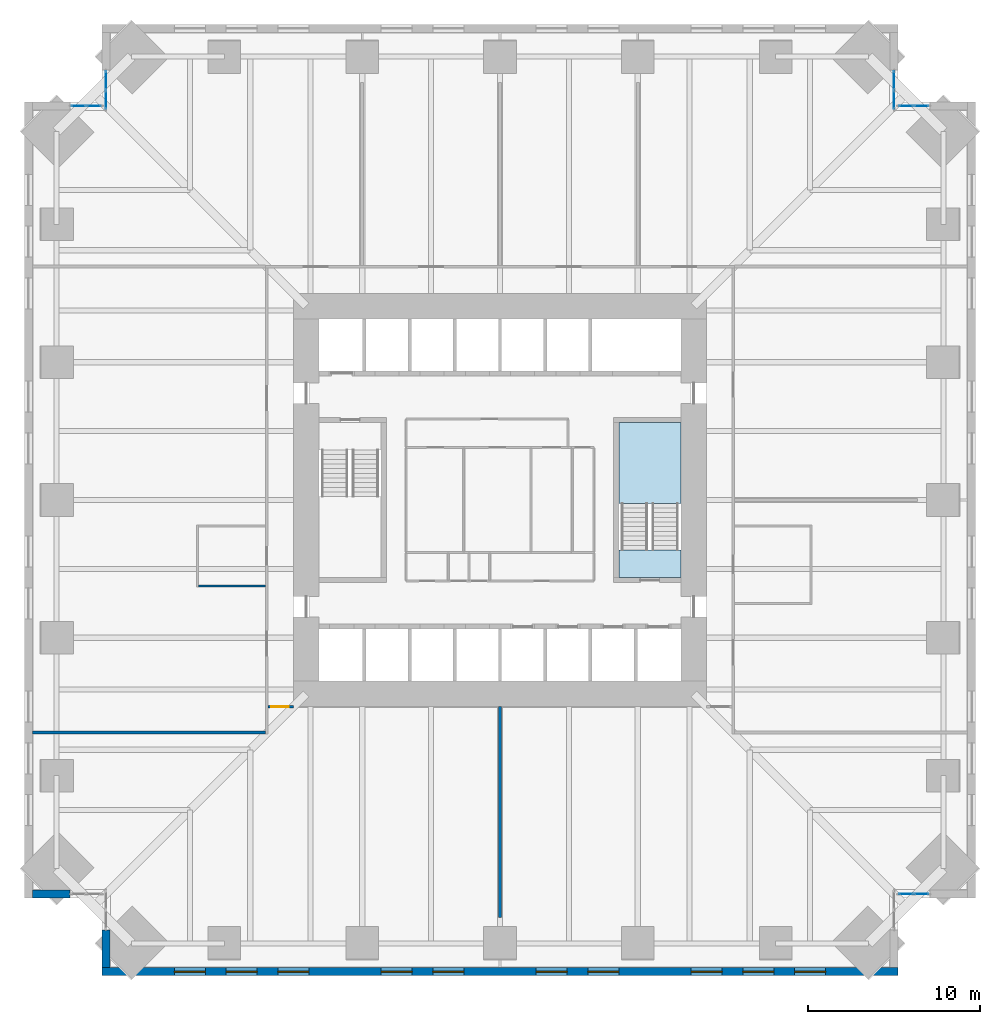
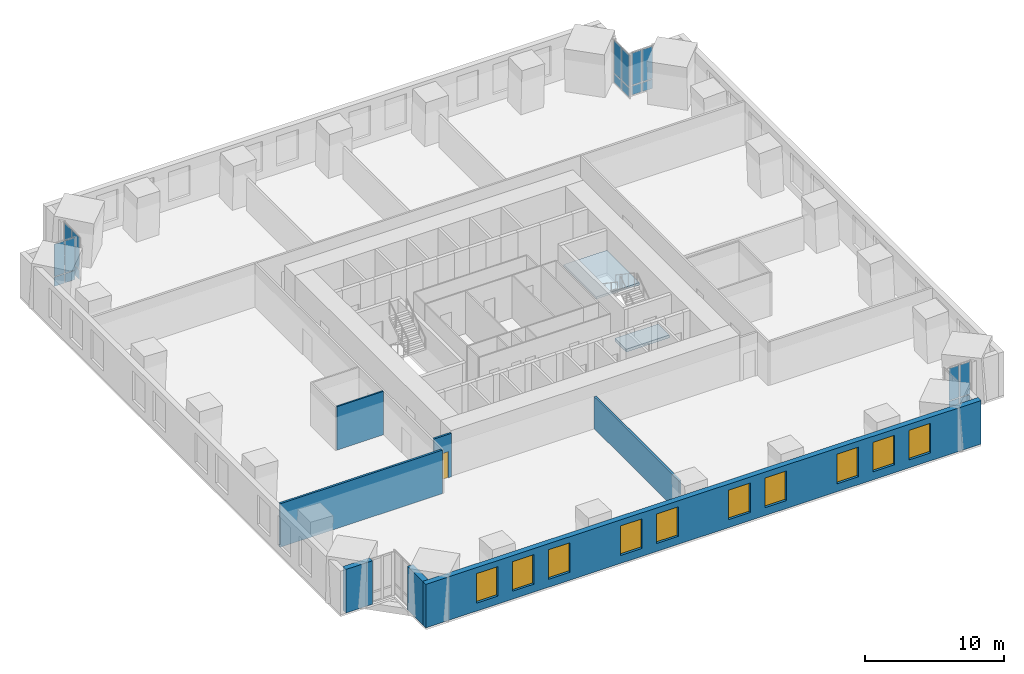
# One storey, part 11 of 16: 20 plates, 10 windows, 7 walls, 2 slabs, 1 door, 11 openings, 6 elements without a shape of their own.
"""IFC4 building model written with IfcOpenShell, lengths in metres."""

from ifc_helpers import new_model, si_unit, direction, frame, frame_2d, origin, origin_2d, place, context, subcontext, project, spatial, polyline, rectangle, outline, extrude, material, layer, layer_set, type_object, element, fill, aggregate, save


model = new_model("IFC4")

# Units and contexts
model_context = context("Model", 3, precision=1e-05, world=origin(), true_north=direction((0.0, 1.0)))
body_context = subcontext(model_context, "Body", "Model", "MODEL_VIEW")
ifc_project = project(units=[si_unit("LENGTHUNIT", "METRE"), si_unit("AREAUNIT", "SQUARE_METRE"), si_unit("VOLUMEUNIT", "CUBIC_METRE"), si_unit("PLANEANGLEUNIT", "RADIAN"), si_unit("MASSUNIT", "GRAM", prefix="KILO")], contexts=[model_context])

# Site, building, storey
site_placement = place(None, origin())
site = spatial("IfcSite", under=ifc_project, at=site_placement, CompositionType="ELEMENT")
building_placement = place(site_placement, origin())
building = spatial("IfcBuilding", under=site, at=building_placement, Name="Peilmerk Tower", CompositionType="ELEMENT")
storey_placement = place(building_placement, frame((0.0, 0.0, 127.800048828125)))
storey = spatial("IfcBuildingStorey", under=building, at=storey_placement, Name="L25", CompositionType="ELEMENT", Elevation=127.800048828125)

# Curtain wall, plates
ifc_material_1 = material(Name="Aluminium stick curtain wall", Category="aluminium")
curtain_wall_type = type_object("IfcCurtainWallType", Name="CW3 stick curtain wall, 2250 module", PredefinedType="NOTDEFINED", material=ifc_material_1)
curtain_wall_1_placement = place(storey_placement, origin())
curtain_wall_1 = element("IfcCurtainWall", 1, at=curtain_wall_1_placement, inside=storey, type_object=curtain_wall_type, Name="Curtain wall CW3 NEA L25", PredefinedType="NOTDEFINED")
ifc_material_2 = material(Name="Clear insulated glazing unit", Category="glass")
ifc_layer_1 = layer(ifc_material_2, 0.028076171875)
ifc_layer_set_1 = layer_set([ifc_layer_1], Name="Clear insulated glazing unit")
plate_type = type_object("IfcPlateType", Name="CW3-P 28 glazed panel", PredefinedType="CURTAIN_PANEL", material=ifc_layer_set_1)
plate_1_placement = place(storey_placement, frame((22.875, 23.238525390625, 0.06494140625), z_axis=(0.0, 0.0, 1.0), x_axis=(0.0, 1.0, 0.0)))
plate_1 = element("IfcPlate", 2, at=plate_1_placement, type_object=plate_type, Name="CW3 panel 1.1", PredefinedType="CURTAIN_PANEL", context=body_context, shape_type="SweptSolid", body=[
    extrude(rectangle(XDim=1.046875, YDim=0.028076171875, at=origin_2d()), origin(), (0.0, 0.0, 1.0), 0.802490234375),
])
plate_2_placement = place(storey_placement, frame((22.875, 23.238525390625, 0.932373046875), z_axis=(0.0, 0.0, 1.0), x_axis=(0.0, 1.0, 0.0)))
plate_2 = element("IfcPlate", 3, at=plate_2_placement, type_object=plate_type, Name="CW3 panel 1.2", PredefinedType="CURTAIN_PANEL", context=body_context, shape_type="SweptSolid", body=[
    extrude(rectangle(XDim=1.046875, YDim=0.028076171875, at=origin_2d()), origin(), (0.0, 0.0, 1.0), 2.83251953125),
])
plate_3_placement = place(storey_placement, frame((22.875, 24.350341796875, 0.06494140625), z_axis=(0.0, 0.0, 1.0), x_axis=(0.0, 1.0, 0.0)))
plate_3 = element("IfcPlate", 4, at=plate_3_placement, type_object=plate_type, Name="CW3 panel 2.1", PredefinedType="CURTAIN_PANEL", context=body_context, shape_type="SweptSolid", body=[
    extrude(rectangle(XDim=1.046875, YDim=0.028076171875, at=origin_2d()), origin(), (0.0, 0.0, 1.0), 0.802490234375),
])
plate_4_placement = place(storey_placement, frame((22.875, 24.350341796875, 0.932373046875), z_axis=(0.0, 0.0, 1.0), x_axis=(0.0, 1.0, 0.0)))
plate_4 = element("IfcPlate", 5, at=plate_4_placement, type_object=plate_type, Name="CW3 panel 2.2", PredefinedType="CURTAIN_PANEL", context=body_context, shape_type="SweptSolid", body=[
    extrude(rectangle(XDim=1.046875, YDim=0.028076171875, at=origin_2d()), origin(), (0.0, 0.0, 1.0), 2.83251953125),
])
aggregate(curtain_wall_1, [plate_1, plate_2, plate_3, plate_4])

curtain_wall_2_placement = place(storey_placement, origin())
curtain_wall_2 = element("IfcCurtainWall", 6, at=curtain_wall_2_placement, inside=storey, type_object=curtain_wall_type, Name="Curtain wall CW3 NEB L25", PredefinedType="NOTDEFINED")
plate_5_placement = place(storey_placement, frame((23.575927734375, 22.875, 0.06494140625), z_axis=(0.0, 0.0, 1.0), x_axis=(1.0, 0.0, 0.0)))
plate_5 = element("IfcPlate", 7, at=plate_5_placement, type_object=plate_type, Name="CW3 panel 1.1", PredefinedType="CURTAIN_PANEL", context=body_context, shape_type="SweptSolid", body=[
    extrude(rectangle(XDim=0.82177734375, YDim=0.028076171875, at=origin_2d()), origin(), (0.0, 0.0, 1.0), 0.802490234375),
])
plate_6_placement = place(storey_placement, frame((23.575927734375, 22.875, 0.932373046875), z_axis=(0.0, 0.0, 1.0), x_axis=(1.0, 0.0, 0.0)))
plate_6 = element("IfcPlate", 8, at=plate_6_placement, type_object=plate_type, Name="CW3 panel 1.2", PredefinedType="CURTAIN_PANEL", context=body_context, shape_type="SweptSolid", body=[
    extrude(rectangle(XDim=0.82177734375, YDim=0.028076171875, at=origin_2d()), origin(), (0.0, 0.0, 1.0), 2.83251953125),
])
plate_7_placement = place(storey_placement, frame((24.462646484375, 22.875, 0.06494140625), z_axis=(0.0, 0.0, 1.0), x_axis=(1.0, 0.0, 0.0)))
plate_7 = element("IfcPlate", 9, at=plate_7_placement, type_object=plate_type, Name="CW3 panel 2.1", PredefinedType="CURTAIN_PANEL", context=body_context, shape_type="SweptSolid", body=[
    extrude(rectangle(XDim=0.82177734375, YDim=0.028076171875, at=origin_2d()), origin(), (0.0, 0.0, 1.0), 0.802490234375),
])
plate_8_placement = place(storey_placement, frame((24.462646484375, 22.875, 0.932373046875), z_axis=(0.0, 0.0, 1.0), x_axis=(1.0, 0.0, 0.0)))
plate_8 = element("IfcPlate", 10, at=plate_8_placement, type_object=plate_type, Name="CW3 panel 2.2", PredefinedType="CURTAIN_PANEL", context=body_context, shape_type="SweptSolid", body=[
    extrude(rectangle(XDim=0.82177734375, YDim=0.028076171875, at=origin_2d()), origin(), (0.0, 0.0, 1.0), 2.83251953125),
])
aggregate(curtain_wall_2, [plate_5, plate_6, plate_7, plate_8])

curtain_wall_3_placement = place(storey_placement, origin())
curtain_wall_3 = element("IfcCurtainWall", 11, at=curtain_wall_3_placement, inside=storey, type_object=curtain_wall_type, Name="Curtain wall CW3 SEB L25", PredefinedType="NOTDEFINED")
plate_9_placement = place(storey_placement, frame((23.575927734375, -22.875, 0.06494140625), z_axis=(0.0, 0.0, 1.0), x_axis=(1.0, 0.0, 0.0)))
plate_9 = element("IfcPlate", 12, at=plate_9_placement, type_object=plate_type, Name="CW3 panel 1.1", PredefinedType="CURTAIN_PANEL", context=body_context, shape_type="SweptSolid", body=[
    extrude(rectangle(XDim=0.82177734375, YDim=0.028076171875, at=origin_2d()), origin(), (0.0, 0.0, 1.0), 0.802490234375),
])
plate_10_placement = place(storey_placement, frame((23.575927734375, -22.875, 0.932373046875), z_axis=(0.0, 0.0, 1.0), x_axis=(1.0, 0.0, 0.0)))
plate_10 = element("IfcPlate", 13, at=plate_10_placement, type_object=plate_type, Name="CW3 panel 1.2", PredefinedType="CURTAIN_PANEL", context=body_context, shape_type="SweptSolid", body=[
    extrude(rectangle(XDim=0.82177734375, YDim=0.028076171875, at=origin_2d()), origin(), (0.0, 0.0, 1.0), 2.83251953125),
])
plate_11_placement = place(storey_placement, frame((24.462646484375, -22.875, 0.06494140625), z_axis=(0.0, 0.0, 1.0), x_axis=(1.0, 0.0, 0.0)))
plate_11 = element("IfcPlate", 14, at=plate_11_placement, type_object=plate_type, Name="CW3 panel 2.1", PredefinedType="CURTAIN_PANEL", context=body_context, shape_type="SweptSolid", body=[
    extrude(rectangle(XDim=0.82177734375, YDim=0.028076171875, at=origin_2d()), origin(), (0.0, 0.0, 1.0), 0.802490234375),
])
plate_12_placement = place(storey_placement, frame((24.462646484375, -22.875, 0.932373046875), z_axis=(0.0, 0.0, 1.0), x_axis=(1.0, 0.0, 0.0)))
plate_12 = element("IfcPlate", 15, at=plate_12_placement, type_object=plate_type, Name="CW3 panel 2.2", PredefinedType="CURTAIN_PANEL", context=body_context, shape_type="SweptSolid", body=[
    extrude(rectangle(XDim=0.82177734375, YDim=0.028076171875, at=origin_2d()), origin(), (0.0, 0.0, 1.0), 2.83251953125),
])
aggregate(curtain_wall_3, [plate_9, plate_10, plate_11, plate_12])

curtain_wall_4_placement = place(storey_placement, origin())
curtain_wall_4 = element("IfcCurtainWall", 16, at=curtain_wall_4_placement, inside=storey, type_object=curtain_wall_type, Name="Curtain wall CW3 NWA L25", PredefinedType="NOTDEFINED")
plate_13_placement = place(storey_placement, frame((-22.875, 23.238525390625, 0.06494140625), z_axis=(0.0, 0.0, 1.0), x_axis=(0.0, 1.0, 0.0)))
plate_13 = element("IfcPlate", 17, at=plate_13_placement, type_object=plate_type, Name="CW3 panel 1.1", PredefinedType="CURTAIN_PANEL", context=body_context, shape_type="SweptSolid", body=[
    extrude(rectangle(XDim=1.046875, YDim=0.028076171875, at=origin_2d()), origin(), (0.0, 0.0, 1.0), 0.802490234375),
])
plate_14_placement = place(storey_placement, frame((-22.875, 23.238525390625, 0.932373046875), z_axis=(0.0, 0.0, 1.0), x_axis=(0.0, 1.0, 0.0)))
plate_14 = element("IfcPlate", 18, at=plate_14_placement, type_object=plate_type, Name="CW3 panel 1.2", PredefinedType="CURTAIN_PANEL", context=body_context, shape_type="SweptSolid", body=[
    extrude(rectangle(XDim=1.046875, YDim=0.028076171875, at=origin_2d()), origin(), (0.0, 0.0, 1.0), 2.83251953125),
])
plate_15_placement = place(storey_placement, frame((-22.875, 24.350341796875, 0.06494140625), z_axis=(0.0, 0.0, 1.0), x_axis=(0.0, 1.0, 0.0)))
plate_15 = element("IfcPlate", 19, at=plate_15_placement, type_object=plate_type, Name="CW3 panel 2.1", PredefinedType="CURTAIN_PANEL", context=body_context, shape_type="SweptSolid", body=[
    extrude(rectangle(XDim=1.046875, YDim=0.028076171875, at=origin_2d()), origin(), (0.0, 0.0, 1.0), 0.802490234375),
])
plate_16_placement = place(storey_placement, frame((-22.875, 24.350341796875, 0.932373046875), z_axis=(0.0, 0.0, 1.0), x_axis=(0.0, 1.0, 0.0)))
plate_16 = element("IfcPlate", 20, at=plate_16_placement, type_object=plate_type, Name="CW3 panel 2.2", PredefinedType="CURTAIN_PANEL", context=body_context, shape_type="SweptSolid", body=[
    extrude(rectangle(XDim=1.046875, YDim=0.028076171875, at=origin_2d()), origin(), (0.0, 0.0, 1.0), 2.83251953125),
])
aggregate(curtain_wall_4, [plate_13, plate_14, plate_15, plate_16])

curtain_wall_5_placement = place(storey_placement, origin())
curtain_wall_5 = element("IfcCurtainWall", 21, at=curtain_wall_5_placement, inside=storey, type_object=curtain_wall_type, Name="Curtain wall CW3 NWB L25", PredefinedType="NOTDEFINED")
plate_17_placement = place(storey_placement, frame((-23.575927734375, 22.875, 0.06494140625), z_axis=(0.0, 0.0, 1.0), x_axis=(-1.0, 0.0, 0.0)))
plate_17 = element("IfcPlate", 22, at=plate_17_placement, type_object=plate_type, Name="CW3 panel 1.1", PredefinedType="CURTAIN_PANEL", context=body_context, shape_type="SweptSolid", body=[
    extrude(rectangle(XDim=0.82177734375, YDim=0.028076171875, at=origin_2d()), origin(), (0.0, 0.0, 1.0), 0.802490234375),
])
plate_18_placement = place(storey_placement, frame((-23.575927734375, 22.875, 0.932373046875), z_axis=(0.0, 0.0, 1.0), x_axis=(-1.0, 0.0, 0.0)))
plate_18 = element("IfcPlate", 23, at=plate_18_placement, type_object=plate_type, Name="CW3 panel 1.2", PredefinedType="CURTAIN_PANEL", context=body_context, shape_type="SweptSolid", body=[
    extrude(rectangle(XDim=0.82177734375, YDim=0.028076171875, at=origin_2d()), origin(), (0.0, 0.0, 1.0), 2.83251953125),
])
plate_19_placement = place(storey_placement, frame((-24.462646484375, 22.875, 0.06494140625), z_axis=(0.0, 0.0, 1.0), x_axis=(-1.0, 0.0, 0.0)))
plate_19 = element("IfcPlate", 24, at=plate_19_placement, type_object=plate_type, Name="CW3 panel 2.1", PredefinedType="CURTAIN_PANEL", context=body_context, shape_type="SweptSolid", body=[
    extrude(rectangle(XDim=0.82177734375, YDim=0.028076171875, at=origin_2d()), origin(), (0.0, 0.0, 1.0), 0.802490234375),
])
plate_20_placement = place(storey_placement, frame((-24.462646484375, 22.875, 0.932373046875), z_axis=(0.0, 0.0, 1.0), x_axis=(-1.0, 0.0, 0.0)))
plate_20 = element("IfcPlate", 25, at=plate_20_placement, type_object=plate_type, Name="CW3 panel 2.2", PredefinedType="CURTAIN_PANEL", context=body_context, shape_type="SweptSolid", body=[
    extrude(rectangle(XDim=0.82177734375, YDim=0.028076171875, at=origin_2d()), origin(), (0.0, 0.0, 1.0), 2.83251953125),
])
aggregate(curtain_wall_5, [plate_17, plate_18, plate_19, plate_20])

# Stair, slabs
ifc_material_3 = material(Name="Precast concrete C45/55", Category="concrete")
stair_type = type_object("IfcStairType", Name="ST2 22 risers of 181.8", PredefinedType="HALF_TURN_STAIR", material=ifc_material_3)
stair_placement = place(storey_placement, origin())
stair = element("IfcStair", 26, at=stair_placement, inside=storey, type_object=stair_type, Name="Stair 2 L25 to L26", PredefinedType="HALF_TURN_STAIR")
ifc_material_4 = material(Name="Concrete C35/45", Category="concrete")
ifc_layer_2 = layer(ifc_material_4, 0.199951171875)
ifc_layer_set_2 = layer_set([ifc_layer_2], Name="Concrete C35/45")
slab_type_1 = type_object("IfcSlabType", Name="SL1 200 concrete stair landing", PredefinedType="LANDING", material=ifc_layer_set_2)
slab_1_placement = place(storey_placement, frame((0.0, 0.0, 1.800048828125)))
slab_1 = element("IfcSlab", 27, at=slab_1_placement, type_object=slab_type_1, Name="ST2 landing 1", PredefinedType="LANDING", context=body_context, shape_type="SweptSolid", body=[
    extrude(outline(polyline([(6.89990234375, -0.199951171875), (10.5, -0.199951171875), (10.5, 4.5), (6.89990234375, 4.5), (6.89990234375, -0.199951171875)])), origin(), (0.0, 0.0, 1.0), 0.199951171875),
])
ifc_layer_3 = layer(ifc_material_4, 0.25)
ifc_layer_set_3 = layer_set([ifc_layer_3], Name="Concrete C35/45")
slab_type_2 = type_object("IfcSlabType", Name="SL2 250 concrete floor landing", PredefinedType="LANDING", material=ifc_layer_set_3)
slab_2_placement = place(storey_placement, frame((0.0, 0.0, -0.25)))
slab_2 = element("IfcSlab", 28, at=slab_2_placement, type_object=slab_type_2, Name="ST2 floor landing", PredefinedType="LANDING", context=body_context, shape_type="SweptSolid", body=[
    extrude(outline(polyline([(6.89990234375, -4.5), (10.5, -4.5), (10.5, -2.89990234375), (6.89990234375, -2.89990234375), (6.89990234375, -4.5)])), origin(), (0.0, 0.0, 1.0), 0.25),
])
aggregate(stair, [slab_1, slab_2])

# Wall, openings, windows
ifc_material_5 = material(Name="Precast concrete C45/55, board-marked finish", Category="concrete")
ifc_layer_4 = layer(ifc_material_5, 0.449951171875)
ifc_layer_set_4 = layer_set([ifc_layer_4], Name="Precast concrete C45/55, board-marked finish")
wall_type_1 = type_object("IfcWallType", Name="EW1 450 precast concrete facade wall, board-marked", PredefinedType="SOLIDWALL", material=ifc_layer_set_4)
wall_1_placement = place(storey_placement, frame((-23.10009765625, -27.375, 0.0), z_axis=(0.0, 0.0, 1.0), x_axis=(1.0, 0.0, 0.0)))
wall_1 = element("IfcWall", 29, at=wall_1_placement, inside=storey, type_object=wall_type_1, Name="Facade wall S L25", PredefinedType="SOLIDWALL", context=body_context, shape_type="SweptSolid", body=[
    extrude(rectangle(XDim=46.2001953125, YDim=0.449951171875, at=frame_2d((23.10009765625, 0.0))), origin(), (0.0, 0.0, 1.0), 3.829833984375),
])
opening_1_placement = place(wall_1_placement, frame((4.199951171875, 0.0, 0.699951171875)))
opening_1 = element("IfcOpeningElement", 30, at=opening_1_placement, cuts=wall_1, Name="Opening W1", PredefinedType="OPENING", context=body_context, shape_type="SweptSolid", body=[
    extrude(rectangle(XDim=1.800048828125, YDim=2.60009765625, at=frame_2d((0.89990234375, 1.300048828125))), frame((0.0, 0.23486328125, 0.0), z_axis=(0.0, -1.0, 0.0), x_axis=(1.0, 0.0, 0.0)), (0.0, 0.0, 1.0), 0.469970703125),
])
opening_2_placement = place(wall_1_placement, frame((7.199951171875, 0.0, 0.699951171875)))
opening_2 = element("IfcOpeningElement", 31, at=opening_2_placement, cuts=wall_1, Name="Opening W1", PredefinedType="OPENING", context=body_context, shape_type="SweptSolid", body=[
    extrude(rectangle(XDim=1.800048828125, YDim=2.60009765625, at=frame_2d((0.89990234375, 1.300048828125))), frame((0.0, 0.23486328125, 0.0), z_axis=(0.0, -1.0, 0.0), x_axis=(1.0, 0.0, 0.0)), (0.0, 0.0, 1.0), 0.469970703125),
])
opening_3_placement = place(wall_1_placement, frame((10.199951171875, 0.0, 0.699951171875)))
opening_3 = element("IfcOpeningElement", 32, at=opening_3_placement, cuts=wall_1, Name="Opening W1", PredefinedType="OPENING", context=body_context, shape_type="SweptSolid", body=[
    extrude(rectangle(XDim=1.800048828125, YDim=2.60009765625, at=frame_2d((0.89990234375, 1.300048828125))), frame((0.0, 0.23486328125, 0.0), z_axis=(0.0, -1.0, 0.0), x_axis=(1.0, 0.0, 0.0)), (0.0, 0.0, 1.0), 0.469970703125),
])
opening_4_placement = place(wall_1_placement, frame((16.199951171875, 0.0, 0.699951171875)))
opening_4 = element("IfcOpeningElement", 33, at=opening_4_placement, cuts=wall_1, Name="Opening W1", PredefinedType="OPENING", context=body_context, shape_type="SweptSolid", body=[
    extrude(rectangle(XDim=1.800048828125, YDim=2.60009765625, at=frame_2d((0.89990234375, 1.300048828125))), frame((0.0, 0.23486328125, 0.0), z_axis=(0.0, -1.0, 0.0), x_axis=(1.0, 0.0, 0.0)), (0.0, 0.0, 1.0), 0.469970703125),
])
opening_5_placement = place(wall_1_placement, frame((19.199951171875, 0.0, 0.699951171875)))
opening_5 = element("IfcOpeningElement", 34, at=opening_5_placement, cuts=wall_1, Name="Opening W1", PredefinedType="OPENING", context=body_context, shape_type="SweptSolid", body=[
    extrude(rectangle(XDim=1.800048828125, YDim=2.60009765625, at=frame_2d((0.89990234375, 1.300048828125))), frame((0.0, 0.23486328125, 0.0), z_axis=(0.0, -1.0, 0.0), x_axis=(1.0, 0.0, 0.0)), (0.0, 0.0, 1.0), 0.469970703125),
])
opening_6_placement = place(wall_1_placement, frame((25.199951171875, 0.0, 0.699951171875)))
opening_6 = element("IfcOpeningElement", 35, at=opening_6_placement, cuts=wall_1, Name="Opening W1", PredefinedType="OPENING", context=body_context, shape_type="SweptSolid", body=[
    extrude(rectangle(XDim=1.800048828125, YDim=2.60009765625, at=frame_2d((0.89990234375, 1.300048828125))), frame((0.0, 0.23486328125, 0.0), z_axis=(0.0, -1.0, 0.0), x_axis=(1.0, 0.0, 0.0)), (0.0, 0.0, 1.0), 0.469970703125),
])
opening_7_placement = place(wall_1_placement, frame((28.199951171875, 0.0, 0.699951171875)))
opening_7 = element("IfcOpeningElement", 36, at=opening_7_placement, cuts=wall_1, Name="Opening W1", PredefinedType="OPENING", context=body_context, shape_type="SweptSolid", body=[
    extrude(rectangle(XDim=1.800048828125, YDim=2.60009765625, at=frame_2d((0.89990234375, 1.300048828125))), frame((0.0, 0.23486328125, 0.0), z_axis=(0.0, -1.0, 0.0), x_axis=(1.0, 0.0, 0.0)), (0.0, 0.0, 1.0), 0.469970703125),
])
opening_8_placement = place(wall_1_placement, frame((34.199951171875, 0.0, 0.699951171875)))
opening_8 = element("IfcOpeningElement", 37, at=opening_8_placement, cuts=wall_1, Name="Opening W1", PredefinedType="OPENING", context=body_context, shape_type="SweptSolid", body=[
    extrude(rectangle(XDim=1.800048828125, YDim=2.60009765625, at=frame_2d((0.89990234375, 1.300048828125))), frame((0.0, 0.23486328125, 0.0), z_axis=(0.0, -1.0, 0.0), x_axis=(1.0, 0.0, 0.0)), (0.0, 0.0, 1.0), 0.469970703125),
])
opening_9_placement = place(wall_1_placement, frame((37.199951171875, 0.0, 0.699951171875)))
opening_9 = element("IfcOpeningElement", 38, at=opening_9_placement, cuts=wall_1, Name="Opening W1", PredefinedType="OPENING", context=body_context, shape_type="SweptSolid", body=[
    extrude(rectangle(XDim=1.800048828125, YDim=2.60009765625, at=frame_2d((0.89990234375, 1.300048828125))), frame((0.0, 0.23486328125, 0.0), z_axis=(0.0, -1.0, 0.0), x_axis=(1.0, 0.0, 0.0)), (0.0, 0.0, 1.0), 0.469970703125),
])
opening_10_placement = place(wall_1_placement, frame((40.199951171875, 0.0, 0.699951171875)))
opening_10 = element("IfcOpeningElement", 39, at=opening_10_placement, cuts=wall_1, Name="Opening W1", PredefinedType="OPENING", context=body_context, shape_type="SweptSolid", body=[
    extrude(rectangle(XDim=1.800048828125, YDim=2.60009765625, at=frame_2d((0.89990234375, 1.300048828125))), frame((0.0, 0.23486328125, 0.0), z_axis=(0.0, -1.0, 0.0), x_axis=(1.0, 0.0, 0.0)), (0.0, 0.0, 1.0), 0.469970703125),
])
ifc_material_6 = material(Name="Aluminium frame, clear double glazing", Category="aluminium")
window_type = type_object("IfcWindowType", Name="W1 1800x2600 office window", PartitioningType="SINGLE_PANEL", PredefinedType="WINDOW", material=ifc_material_6)
window_1_placement = place(opening_1_placement, origin())
window_1 = element("IfcWindow", 40, at=window_1_placement, inside=storey, type_object=window_type, Name="Window W1 L25", OverallHeight=2.60009765625, OverallWidth=1.800048828125, PartitioningType="SINGLE_PANEL", PredefinedType="WINDOW", context=body_context, shape_type="SweptSolid", body=[
    extrude(rectangle(XDim=1.800048828125, YDim=2.60009765625, at=frame_2d((0.89990234375, 1.300048828125))), frame((0.0, 0.030029296875, 0.0), z_axis=(0.0, -1.0, 0.0), x_axis=(1.0, 0.0, 0.0)), (0.0, 0.0, 1.0), 0.06005859375),
])
fill(opening_1, window_1)
window_2_placement = place(opening_2_placement, origin())
window_2 = element("IfcWindow", 41, at=window_2_placement, inside=storey, type_object=window_type, Name="Window W1 L25", OverallHeight=2.60009765625, OverallWidth=1.800048828125, PartitioningType="SINGLE_PANEL", PredefinedType="WINDOW", context=body_context, shape_type="SweptSolid", body=[
    extrude(rectangle(XDim=1.800048828125, YDim=2.60009765625, at=frame_2d((0.89990234375, 1.300048828125))), frame((0.0, 0.030029296875, 0.0), z_axis=(0.0, -1.0, 0.0), x_axis=(1.0, 0.0, 0.0)), (0.0, 0.0, 1.0), 0.06005859375),
])
fill(opening_2, window_2)
window_3_placement = place(opening_3_placement, origin())
window_3 = element("IfcWindow", 42, at=window_3_placement, inside=storey, type_object=window_type, Name="Window W1 L25", OverallHeight=2.60009765625, OverallWidth=1.800048828125, PartitioningType="SINGLE_PANEL", PredefinedType="WINDOW", context=body_context, shape_type="SweptSolid", body=[
    extrude(rectangle(XDim=1.800048828125, YDim=2.60009765625, at=frame_2d((0.89990234375, 1.300048828125))), frame((0.0, 0.030029296875, 0.0), z_axis=(0.0, -1.0, 0.0), x_axis=(1.0, 0.0, 0.0)), (0.0, 0.0, 1.0), 0.06005859375),
])
fill(opening_3, window_3)
window_4_placement = place(opening_4_placement, origin())
window_4 = element("IfcWindow", 43, at=window_4_placement, inside=storey, type_object=window_type, Name="Window W1 L25", OverallHeight=2.60009765625, OverallWidth=1.800048828125, PartitioningType="SINGLE_PANEL", PredefinedType="WINDOW", context=body_context, shape_type="SweptSolid", body=[
    extrude(rectangle(XDim=1.800048828125, YDim=2.60009765625, at=frame_2d((0.89990234375, 1.300048828125))), frame((0.0, 0.030029296875, 0.0), z_axis=(0.0, -1.0, 0.0), x_axis=(1.0, 0.0, 0.0)), (0.0, 0.0, 1.0), 0.06005859375),
])
fill(opening_4, window_4)
window_5_placement = place(opening_5_placement, origin())
window_5 = element("IfcWindow", 44, at=window_5_placement, inside=storey, type_object=window_type, Name="Window W1 L25", OverallHeight=2.60009765625, OverallWidth=1.800048828125, PartitioningType="SINGLE_PANEL", PredefinedType="WINDOW", context=body_context, shape_type="SweptSolid", body=[
    extrude(rectangle(XDim=1.800048828125, YDim=2.60009765625, at=frame_2d((0.89990234375, 1.300048828125))), frame((0.0, 0.030029296875, 0.0), z_axis=(0.0, -1.0, 0.0), x_axis=(1.0, 0.0, 0.0)), (0.0, 0.0, 1.0), 0.06005859375),
])
fill(opening_5, window_5)
window_6_placement = place(opening_6_placement, origin())
window_6 = element("IfcWindow", 45, at=window_6_placement, inside=storey, type_object=window_type, Name="Window W1 L25", OverallHeight=2.60009765625, OverallWidth=1.800048828125, PartitioningType="SINGLE_PANEL", PredefinedType="WINDOW", context=body_context, shape_type="SweptSolid", body=[
    extrude(rectangle(XDim=1.800048828125, YDim=2.60009765625, at=frame_2d((0.89990234375, 1.300048828125))), frame((0.0, 0.030029296875, 0.0), z_axis=(0.0, -1.0, 0.0), x_axis=(1.0, 0.0, 0.0)), (0.0, 0.0, 1.0), 0.06005859375),
])
fill(opening_6, window_6)
window_7_placement = place(opening_7_placement, origin())
window_7 = element("IfcWindow", 46, at=window_7_placement, inside=storey, type_object=window_type, Name="Window W1 L25", OverallHeight=2.60009765625, OverallWidth=1.800048828125, PartitioningType="SINGLE_PANEL", PredefinedType="WINDOW", context=body_context, shape_type="SweptSolid", body=[
    extrude(rectangle(XDim=1.800048828125, YDim=2.60009765625, at=frame_2d((0.89990234375, 1.300048828125))), frame((0.0, 0.030029296875, 0.0), z_axis=(0.0, -1.0, 0.0), x_axis=(1.0, 0.0, 0.0)), (0.0, 0.0, 1.0), 0.06005859375),
])
fill(opening_7, window_7)
window_8_placement = place(opening_8_placement, origin())
window_8 = element("IfcWindow", 47, at=window_8_placement, inside=storey, type_object=window_type, Name="Window W1 L25", OverallHeight=2.60009765625, OverallWidth=1.800048828125, PartitioningType="SINGLE_PANEL", PredefinedType="WINDOW", context=body_context, shape_type="SweptSolid", body=[
    extrude(rectangle(XDim=1.800048828125, YDim=2.60009765625, at=frame_2d((0.89990234375, 1.300048828125))), frame((0.0, 0.030029296875, 0.0), z_axis=(0.0, -1.0, 0.0), x_axis=(1.0, 0.0, 0.0)), (0.0, 0.0, 1.0), 0.06005859375),
])
fill(opening_8, window_8)
window_9_placement = place(opening_9_placement, origin())
window_9 = element("IfcWindow", 48, at=window_9_placement, inside=storey, type_object=window_type, Name="Window W1 L25", OverallHeight=2.60009765625, OverallWidth=1.800048828125, PartitioningType="SINGLE_PANEL", PredefinedType="WINDOW", context=body_context, shape_type="SweptSolid", body=[
    extrude(rectangle(XDim=1.800048828125, YDim=2.60009765625, at=frame_2d((0.89990234375, 1.300048828125))), frame((0.0, 0.030029296875, 0.0), z_axis=(0.0, -1.0, 0.0), x_axis=(1.0, 0.0, 0.0)), (0.0, 0.0, 1.0), 0.06005859375),
])
fill(opening_9, window_9)
window_10_placement = place(opening_10_placement, origin())
window_10 = element("IfcWindow", 49, at=window_10_placement, inside=storey, type_object=window_type, Name="Window W1 L25", OverallHeight=2.60009765625, OverallWidth=1.800048828125, PartitioningType="SINGLE_PANEL", PredefinedType="WINDOW", context=body_context, shape_type="SweptSolid", body=[
    extrude(rectangle(XDim=1.800048828125, YDim=2.60009765625, at=frame_2d((0.89990234375, 1.300048828125))), frame((0.0, 0.030029296875, 0.0), z_axis=(0.0, -1.0, 0.0), x_axis=(1.0, 0.0, 0.0)), (0.0, 0.0, 1.0), 0.06005859375),
])
fill(opening_10, window_10)

# Walls
for number, where, z_axis, x_axis, name in (
    (50, (-22.875, -24.95361328125, 0.0), (0.0, 0.0, 1.0), (0.0, -1.0, 0.0), "Facade wall SWA L25"),
    (51, (-24.95361328125, -22.875, 0.0), (0.0, 0.0, 1.0), (-1.0, 0.0, 0.0), "Facade wall SWB L25"),
):
    element("IfcWall", number, at=place(storey_placement, frame(where, z_axis=z_axis, x_axis=x_axis)), inside=storey, type_object=wall_type_1, Name=name, PredefinedType="SOLIDWALL", context=body_context, shape_type="SweptSolid", body=[
        extrude(rectangle(XDim=2.1962890625, YDim=0.449951171875, at=frame_2d((1.09814453125, 0.0))), origin(), (0.0, 0.0, 1.0), 3.829833984375),
    ])

# Wall, opening, door
ifc_material_7 = material(Name="Calcium silicate block", Category="masonry")
ifc_layer_5 = layer(ifc_material_7, 0.14990234375)
ifc_layer_set_5 = layer_set([ifc_layer_5], Name="Calcium silicate block")
wall_type_2 = type_object("IfcWallType", Name="IW1 150 corridor partition, EI 60", PredefinedType="PARTITIONING", material=ifc_layer_set_5)
wall_2_placement = place(storey_placement, frame((-12.0, -12.0, 0.0), z_axis=(0.0, 0.0, 1.0), x_axis=(-1.0, 0.0, 0.0)))
wall_2 = element("IfcWall", 52, at=wall_2_placement, inside=storey, type_object=wall_type_2, Name="Corridor wall SW L25", PredefinedType="PARTITIONING", context=body_context, shape_type="SweptSolid", body=[
    extrude(rectangle(XDim=1.47509765625, YDim=0.14990234375, at=frame_2d((0.737548828125, 0.0))), origin(), (0.0, 0.0, 1.0), 3.829833984375),
])
opening_11_placement = place(wall_2_placement, frame((0.27490234375, 0.0, 0.0)))
opening_11 = element("IfcOpeningElement", 53, at=opening_11_placement, cuts=wall_2, Name="Opening D1", PredefinedType="OPENING", context=body_context, shape_type="SweptSolid", body=[
    extrude(rectangle(XDim=1.0, YDim=2.300048828125, at=frame_2d((0.5, 1.14990234375))), frame((0.0, 0.0849609375, 0.0), z_axis=(0.0, -1.0, 0.0), x_axis=(1.0, 0.0, 0.0)), (0.0, 0.0, 1.0), 0.169921875),
])
ifc_material_8 = material(Name="Timber door in steel frame", Category="steel")
door_type = type_object("IfcDoorType", Name="D1 1000x2300 room door, EI2 30", OperationType="SINGLE_SWING_LEFT", PredefinedType="DOOR", material=ifc_material_8)
door_placement = place(opening_11_placement, origin())
door = element("IfcDoor", 54, at=door_placement, inside=storey, type_object=door_type, Name="Door Tenant suite L25", OperationType="SINGLE_SWING_LEFT", OverallHeight=2.300048828125, OverallWidth=1.0, PredefinedType="DOOR", context=body_context, shape_type="SweptSolid", body=[
    extrude(rectangle(XDim=1.0, YDim=2.300048828125, at=frame_2d((0.5, 1.14990234375))), frame((0.0, 0.02490234375, 0.0), z_axis=(0.0, -1.0, 0.0), x_axis=(1.0, 0.0, 0.0)), (0.0, 0.0, 1.0), 0.050048828125),
])
fill(opening_11, door)

# Walls
ifc_material_9 = material(Name="Plasterboard on steel studs, double boarded with mineral wool", Category="steel")
ifc_layer_6 = layer(ifc_material_9, 0.125)
ifc_layer_set_6 = layer_set([ifc_layer_6], Name="Plasterboard on steel studs, double boarded with mineral wool")
wall_type_3 = type_object("IfcWallType", Name="IW7 125 acoustic partition, EI 30", PredefinedType="PARTITIONING", material=ifc_layer_set_6)
wall_3_placement = place(storey_placement, frame((-13.625, -5.0, 0.0), z_axis=(0.0, 0.0, 1.0), x_axis=(-1.0, 0.0, 0.0)))
element("IfcWall", 55, at=wall_3_placement, inside=storey, type_object=wall_type_3, Name="Acoustic partition Pantry L25", PredefinedType="PARTITIONING", context=body_context, shape_type="SweptSolid", body=[
    extrude(rectangle(XDim=3.862548828125, YDim=0.125, at=frame_2d((1.93115234375, 0.0))), origin(), (0.0, 0.0, 1.0), 3.829833984375),
])
ifc_layer_7 = layer(ifc_material_7, 0.175048828125)
ifc_layer_set_7 = layer_set([ifc_layer_7], Name="Calcium silicate block")
wall_type_4 = type_object("IfcWallType", Name="IW8 175 tenant separating wall, EI 60", PredefinedType="PARTITIONING", material=ifc_layer_set_7)
wall_4_placement = place(storey_placement, frame((-13.625, -13.5, 0.0), z_axis=(0.0, 0.0, 1.0), x_axis=(-1.0, 0.0, 0.0)))
element("IfcWall", 56, at=wall_4_placement, inside=storey, type_object=wall_type_4, Name="Tenant separating wall SW L25", PredefinedType="PARTITIONING", context=body_context, shape_type="SweptSolid", body=[
    extrude(rectangle(XDim=13.52490234375, YDim=0.175048828125, at=frame_2d((6.762451171875, 0.0))), origin(), (0.0, 0.0, 1.0), 3.829833984375),
])
wall_5_placement = place(storey_placement, frame((0.0, -12.0, 0.0), z_axis=(0.0, 0.0, 1.0), x_axis=(0.0, -1.0, 0.0)))
element("IfcWall", 57, at=wall_5_placement, inside=storey, type_object=wall_type_4, Name="Tenant separating wall S1 L25", PredefinedType="PARTITIONING", context=body_context, shape_type="SweptSolid", body=[
    extrude(rectangle(XDim=12.23876953125, YDim=0.175048828125, at=frame_2d((6.119384765625, 0.0))), origin(), (0.0, 0.0, 1.0), 2.822021484375),
])

save(model, "model.ifc")
